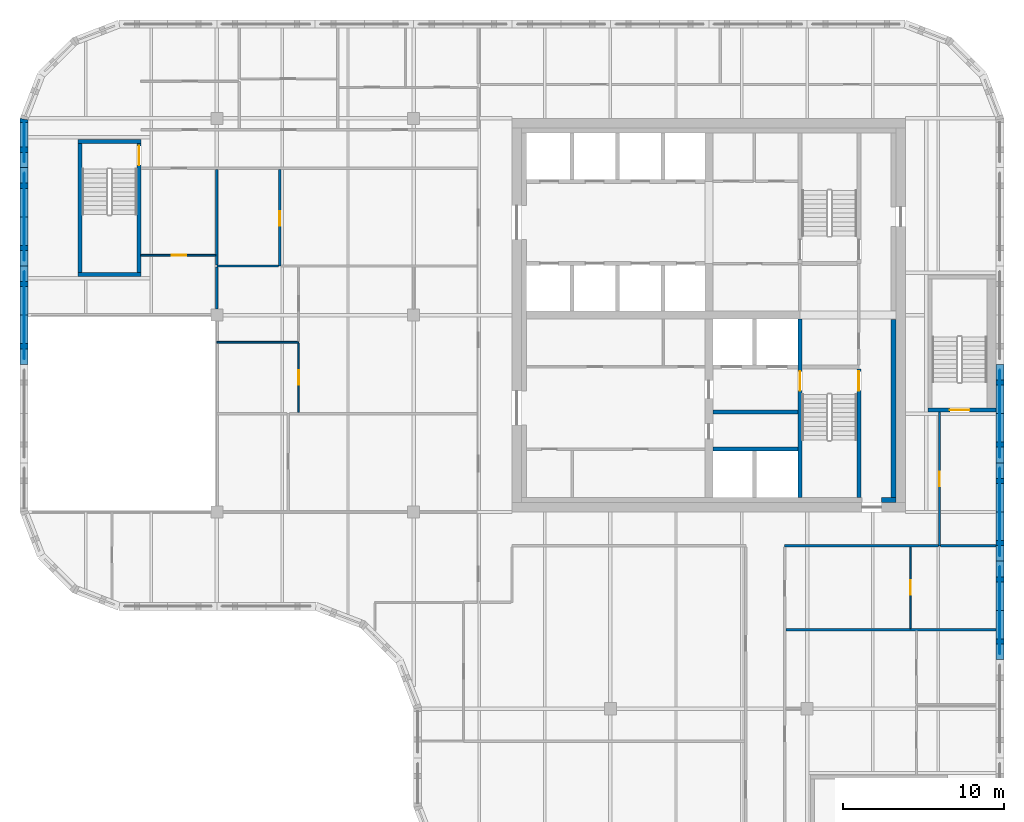
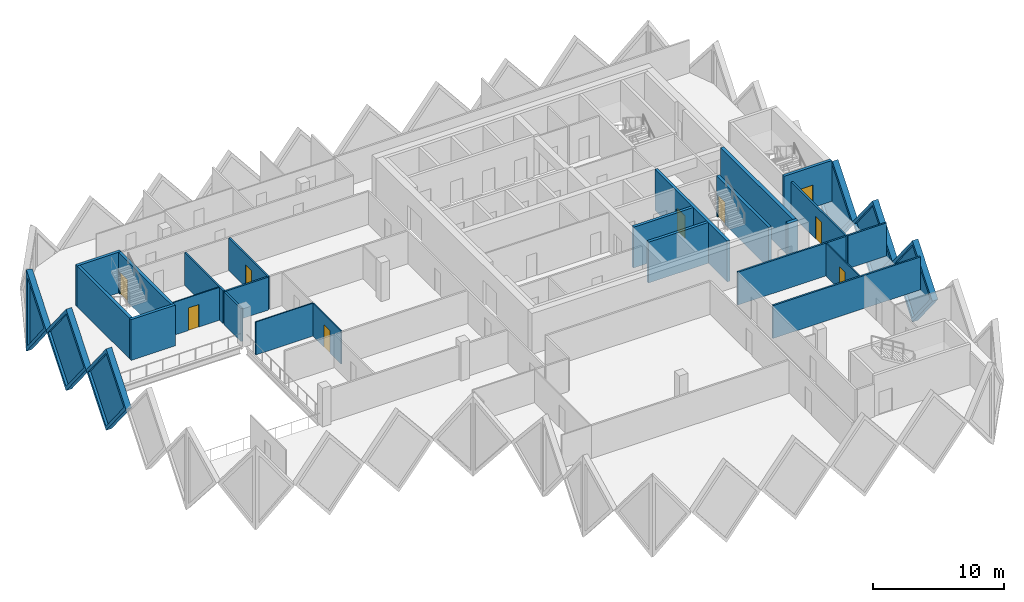
# One storey, part 6 of 11: 29 walls, 9 doors, 6 plates, 15 openings.
"""IFC4 building model written with IfcOpenShell, lengths in metres."""

import ifcopenshell
import ifcopenshell.guid

model = None  # the IFC model being written
_history = None  # IfcOwnerHistory: only IFC2X3 demands one
_inside = {}  # id of a spatial element -> (the spatial element, [elements in it])
_under = {}  # id of a project, library or spatial element -> (it, [spatial elements below it])
_declared = {}  # id of a project -> (the project, [libraries it declares])
_typed = {}  # id of a type object -> (the type object, [elements of that type])
_made_of = {}  # id of a material, layer set ... -> (it, [elements and type objects made of it])


def new_model(schema):
    """Start an empty IFC model of exactly this schema.

    Asked for "IFC4X3", IfcOpenShell would pick the latest addendum, in which some entities
    have other attributes; the version numbers below select the first issue.
    IFC2X3 requires an IfcOwnerHistory on every rooted entity: one is made here for all.
    """
    global model, _history
    if schema == "IFC4X3":
        model = ifcopenshell.file(schema_version=(4, 3, 0, 0))
    else:
        model = ifcopenshell.file(schema=schema)
    _inside.clear()
    _under.clear()
    _declared.clear()
    _typed.clear()
    _made_of.clear()
    _history = None
    if model.schema == "IFC2X3":
        org = make("IfcOrganization", Name="unknown")
        user = make(
            "IfcPersonAndOrganization",
            ThePerson=make("IfcPerson", FamilyName="unknown"),
            TheOrganization=org,
        )
        app = make(
            "IfcApplication",
            ApplicationDeveloper=org,
            Version="unknown",
            ApplicationFullName="unknown",
            ApplicationIdentifier="unknown",
        )
        _history = make(
            "IfcOwnerHistory",
            OwningUser=user,
            OwningApplication=app,
            ChangeAction="ADDED",
            CreationDate=0,
        )
    return model


def make(cls, **values):
    """One entity of the class cls with the attributes given. An attribute that is None is left unset."""
    return model.create_entity(
        cls, **{name: value for name, value in values.items() if value is not None}
    )


def rooted(cls, **values):
    """An entity with a GlobalId (a new one), such as an element, a storey or a relation."""
    return make(cls, GlobalId=ifcopenshell.guid.new(), OwnerHistory=_history, **values)


def si_unit(unit_type, name, prefix=None):
    """IfcSIUnit, for example si_unit("LENGTHUNIT", "METRE", prefix="MILLI")."""
    return make("IfcSIUnit", UnitType=unit_type, Prefix=prefix, Name=name)


def assignment(units):
    """IfcUnitAssignment: the units of a project."""
    return None if units is None else make("IfcUnitAssignment", Units=units)


def point(xyz):
    """IfcCartesianPoint."""
    return None if xyz is None else make("IfcCartesianPoint", Coordinates=xyz)


def direction(xyz):
    """IfcDirection."""
    return None if xyz is None else make("IfcDirection", DirectionRatios=xyz)


def frame(location, z_axis=None, x_axis=None):
    """IfcAxis2Placement3D, a coordinate frame: its origin and axes. An axis left out is left unset."""
    return make(
        "IfcAxis2Placement3D",
        Location=point(location),
        Axis=direction(z_axis),
        RefDirection=direction(x_axis),
    )


def frame_2d(location, x_axis=None):
    """IfcAxis2Placement2D, a coordinate frame in the plane: its origin and x axis."""
    return make(
        "IfcAxis2Placement2D", Location=point(location), RefDirection=direction(x_axis)
    )


def origin():
    """The frame at (0, 0, 0) with its axes left unset."""
    return frame((0.0, 0.0, 0.0))


def place(relative_to, where):
    """IfcLocalPlacement: puts the frame where relative to a parent placement (None: the world)."""
    return make(
        "IfcLocalPlacement", PlacementRelTo=relative_to, RelativePlacement=where
    )


def context(
    kind, dimensions, precision=None, world=None, true_north=None, identifier=None
):
    """IfcGeometricRepresentationContext, for example the 3D "Model" context."""
    return make(
        "IfcGeometricRepresentationContext",
        ContextIdentifier=identifier,
        ContextType=kind,
        CoordinateSpaceDimension=dimensions,
        Precision=precision,
        WorldCoordinateSystem=world,
        TrueNorth=true_north,
    )


def subcontext(parent, identifier, kind, view, scale=None):
    """IfcGeometricRepresentationSubContext, for example "Body" below "Model"."""
    return make(
        "IfcGeometricRepresentationSubContext",
        ContextIdentifier=identifier,
        ContextType=kind,
        ParentContext=parent,
        TargetScale=scale,
        TargetView=view,
    )


def project(units=None, contexts=None):
    """IfcProject with its units and contexts."""
    return rooted(
        "IfcProject",
        Name="project",
        RepresentationContexts=contexts,
        UnitsInContext=assignment(units),
    )


def spatial(cls, under=None, at=None, **own):
    """A site, building, storey or space (cls), placed at a placement, below another one or the project."""
    s = rooted(cls, ObjectPlacement=at, **own)
    if under is not None:
        _under.setdefault(under.id(), (under, []))[1].append(s)
    return s


def polyline(points):
    """IfcPolyline through the points."""
    return make("IfcPolyline", Points=[point(p) for p in points])


def profile(cls, at=None, kind="AREA", **sizes):
    """A parametric profile (cls). Its sizes go by their IFC names, for example OverallWidth=200.0."""
    return make(cls, ProfileType=kind, Position=at, **sizes)


def rectangle(**sizes):
    """IfcRectangleProfileDef."""
    return profile("IfcRectangleProfileDef", **sizes)


def outline(outer, holes=None, kind="AREA"):
    """IfcArbitraryClosedProfileDef: a profile drawn as a closed curve; with holes, ...WithVoids."""
    if holes is None:
        return make("IfcArbitraryClosedProfileDef", ProfileType=kind, OuterCurve=outer)
    return make(
        "IfcArbitraryProfileDefWithVoids",
        ProfileType=kind,
        OuterCurve=outer,
        InnerCurves=holes,
    )


def extrude(swept, where, along, depth):
    """IfcExtrudedAreaSolid: the profile swept, set in the frame where, extruded along a direction by depth."""
    return make(
        "IfcExtrudedAreaSolid",
        SweptArea=swept,
        Position=where,
        ExtrudedDirection=direction(along),
        Depth=depth,
    )


def faces_of(points, faces, orient=None, outer=None):
    """IfcFace entities. A face is a list of loops; a loop is a list of indices into points, from 0.

    orient and outer hold one flag for each loop. By default every Orientation is true, the
    first loop of a face is its IfcFaceOuterBound and the others are IfcFaceBound.
    """
    made = []
    for i, loops in enumerate(faces):
        bounds = []
        for j, loop in enumerate(loops):
            is_outer = j == 0 if outer is None else outer[i][j]
            bounds.append(
                make(
                    "IfcFaceOuterBound" if is_outer else "IfcFaceBound",
                    Bound=make("IfcPolyLoop", Polygon=[points[k] for k in loop]),
                    Orientation=True if orient is None else orient[i][j],
                )
            )
        made.append(make("IfcFace", Bounds=bounds))
    return made


def faceted_brep(points, faces, orient=None, outer=None, voids=None):
    """IfcFacetedBrep: a solid bounded by flat faces; with voids (closed shells), ...WithVoids."""
    shared = [point(p) for p in points]
    hull = make("IfcClosedShell", CfsFaces=faces_of(shared, faces, orient, outer))
    if voids is None:
        return make("IfcFacetedBrep", Outer=hull)
    return make(
        "IfcFacetedBrepWithVoids",
        Outer=hull,
        Voids=[
            make(cls, CfsFaces=faces_of(shared, fs, o, b)) for cls, fs, o, b in voids
        ],
    )


def shape(context_of_items, identifier, shape_type, items):
    """IfcShapeRepresentation: the items that make up one representation, for example the "Body"."""
    return make(
        "IfcShapeRepresentation",
        ContextOfItems=context_of_items,
        RepresentationIdentifier=identifier,
        RepresentationType=shape_type,
        Items=items,
    )


def source(mapping_origin, context_of_items, identifier, shape_type, items):
    """IfcRepresentationMap: a shape defined once, which mapped items show again and again."""
    return make(
        "IfcRepresentationMap",
        MappingOrigin=mapping_origin,
        MappedRepresentation=shape(context_of_items, identifier, shape_type, items),
    )


def transform(
    local_origin,
    x_axis=None,
    y_axis=None,
    z_axis=None,
    scale=None,
    scale2=None,
    scale3=None,
    uniform=True,
):
    """IfcCartesianTransformationOperator3D, or its non-uniform kind. x_axis, y_axis, z_axis: its Axis1, 2, 3."""
    if uniform:
        return make(
            "IfcCartesianTransformationOperator3D",
            Axis1=direction(x_axis),
            Axis2=direction(y_axis),
            LocalOrigin=point(local_origin),
            Scale=scale,
            Axis3=direction(z_axis),
        )
    return make(
        "IfcCartesianTransformationOperator3DnonUniform",
        Axis1=direction(x_axis),
        Axis2=direction(y_axis),
        LocalOrigin=point(local_origin),
        Scale=scale,
        Axis3=direction(z_axis),
        Scale2=scale2,
        Scale3=scale3,
    )


def mapped(mapping_source, mapping_target):
    """IfcMappedItem: shows the shape of a source again, moved by a transform."""
    return make(
        "IfcMappedItem", MappingSource=mapping_source, MappingTarget=mapping_target
    )


def material(Name=None, Category=None):
    """IfcMaterial."""
    return make("IfcMaterial", Name=Name, Category=Category)


def layer(
    of_material, thickness, ventilated=None, Name=None, Category=None, Priority=None
):
    """IfcMaterialLayer: one layer of a wall or slab, of a material (None: an air gap)."""
    return make(
        "IfcMaterialLayer",
        Material=of_material,
        LayerThickness=thickness,
        IsVentilated=ventilated,
        Name=Name,
        Category=Category,
        Priority=Priority,
    )


def layer_set(layers, Name=None):
    """IfcMaterialLayerSet."""
    return make("IfcMaterialLayerSet", MaterialLayers=layers, LayerSetName=Name)


def made_of(thing, what):
    """Note that an element or type object is made of a material, layer set ...; save() writes the relation."""
    if what is not None:
        _made_of.setdefault(what.id(), (what, []))[1].append(thing)
    return thing


def type_object(cls, material=None, **own):
    """A type object (cls), such as IfcWallType, which elements share."""
    return made_of(rooted(cls, **own), material)


def element(
    cls,
    number,
    at=None,
    inside=None,
    cuts=None,
    type_object=None,
    material=None,
    context=None,
    identifier="Body",
    shape_type=None,
    held_by="IfcProductDefinitionShape",
    body=None,
    shapes=None,
    **own,
):
    """One element of the class cls, such as IfcWall. Its Tag is "e" and its number.

    at: its placement. inside: the storey or other place that contains it. cuts: it is an
    opening in that element (IfcRelVoidsElement). A single representation is given by context,
    identifier, shape_type and body (its items); several are given by shapes. held_by: the class
    of the entity that holds the representations. save() writes the other relations.
    """
    e = rooted(cls, Tag="e%d" % number, ObjectPlacement=at, **own)
    if body is not None:
        shapes = [shape(context, identifier, shape_type, body)]
    if shapes is not None:
        e.Representation = make(held_by, Representations=shapes)
    if inside is not None:
        _inside.setdefault(inside.id(), (inside, []))[1].append(e)
    if cuts is not None:
        rooted(
            "IfcRelVoidsElement", RelatingBuildingElement=cuts, RelatedOpeningElement=e
        )
    if type_object is not None:
        _typed.setdefault(type_object.id(), (type_object, []))[1].append(e)
    return made_of(e, material)


def fill(opening, filler):
    """IfcRelFillsElement: the door or window that sits in an opening."""
    return rooted(
        "IfcRelFillsElement",
        RelatingOpeningElement=opening,
        RelatedBuildingElement=filler,
    )


def aggregate(whole, parts):
    """IfcRelAggregates: a whole, such as a stair, and the parts it consists of."""
    return rooted("IfcRelAggregates", RelatingObject=whole, RelatedObjects=parts)


def save(model, path):
    """Write the relations noted so far, then the file.

    IfcRelAggregates (storeys below a building ...), IfcRelContainedInSpatialStructure (elements
    in a storey), IfcRelDefinesByType, IfcRelAssociatesMaterial and IfcRelDeclares: one each for
    every whole, place, type object, material and project.
    """
    for whole, parts in _under.values():
        aggregate(whole, parts)
    for where, things in _inside.values():
        rooted(
            "IfcRelContainedInSpatialStructure",
            RelatedElements=things,
            RelatingStructure=where,
        )
    for kind, things in _typed.values():
        rooted("IfcRelDefinesByType", RelatedObjects=things, RelatingType=kind)
    for what, things in _made_of.values():
        rooted("IfcRelAssociatesMaterial", RelatedObjects=things, RelatingMaterial=what)
    for by, libraries in _declared.values():
        rooted("IfcRelDeclares", RelatingContext=by, RelatedDefinitions=libraries)
    model.write(path)


model = new_model("IFC4")

# Units and contexts
model_context = context("Model", 3, precision=1e-05, world=origin(), true_north=direction((0.0, 1.0)))
body_context = subcontext(model_context, "Body", "Model", "MODEL_VIEW")
ifc_project = project(units=[si_unit("LENGTHUNIT", "METRE"), si_unit("AREAUNIT", "SQUARE_METRE"), si_unit("VOLUMEUNIT", "CUBIC_METRE"), si_unit("PLANEANGLEUNIT", "RADIAN"), si_unit("MASSUNIT", "GRAM", prefix="KILO")], contexts=[model_context])

# Site, building, storey
site_placement = place(None, origin())
site = spatial("IfcSite", under=ifc_project, at=site_placement, CompositionType="ELEMENT")
building_placement = place(site_placement, origin())
building = spatial("IfcBuilding", under=site, at=building_placement, Name="Tessera Gate Towers", CompositionType="ELEMENT")
storey_placement = place(building_placement, frame((0.0, 0.0, 166.800048828125)))
storey = spatial("IfcBuildingStorey", under=building, at=storey_placement, Name="L41", CompositionType="ELEMENT", Elevation=166.800048828125)

# Wall, opening, door
ifc_material_1 = material(Name="Concrete C40/50", Category="concrete")
ifc_layer_1 = layer(ifc_material_1, 0.25)
ifc_layer_set_1 = layer_set([ifc_layer_1], Name="CORE ENCLOSURE WALL 250")
wall_type_1 = type_object("IfcWallType", Name="CORE ENCLOSURE WALL 250", PredefinedType="SOLIDWALL", material=ifc_layer_set_1)
wall_1_placement = place(storey_placement, frame((48.35009765625, 36.35009765625, 0.0), z_axis=(0.0, 0.0, 1.0), x_axis=(0.0, -1.0, 0.0)))
wall_1 = element("IfcWall", 1, at=wall_1_placement, inside=storey, type_object=wall_type_1, Name="L41 shaft and stair enclosure wall", PredefinedType="SOLIDWALL", context=body_context, shape_type="SweptSolid", body=[
    extrude(rectangle(XDim=11.050048828125, YDim=0.25, at=frame_2d((5.52490234375, 0.0))), origin(), (0.0, 0.0, 1.0), 3.800048828125),
])
shared_shape_1 = source(origin(), body_context, "Body", "SweptSolid", [
    extrude(rectangle(XDim=1.199951171875, YDim=2.10009765625, at=frame_2d((0.60009765625, 1.050048828125))), frame((0.0, 0.135009765625, 0.0), z_axis=(0.0, -1.0, 0.0), x_axis=(1.0, 0.0, 0.0)), (0.0, 0.0, 1.0), 0.27001953125),
])
opening_1_placement = place(wall_1_placement, frame((3.22509765625, 0.0, 0.0)))
opening_1 = element("IfcOpeningElement", 2, at=opening_1_placement, cuts=wall_1, Name="Opening SD-ST1-1", PredefinedType="OPENING", context=body_context, shape_type="MappedRepresentation", body=[
    mapped(shared_shape_1, transform((0.0, 0.0, 0.0), scale=1.0)),
])
ifc_material_2 = material(Name="Hollow steel fire door", Category="steel")
door_type_1 = type_object("IfcDoorType", Name="CORE DOOR SD 1200x2100", OperationType="NOTDEFINED", PredefinedType="DOOR", material=ifc_material_2)
shared_shape_2 = source(origin(), body_context, "Body", "SweptSolid", [
    extrude(rectangle(XDim=1.199951171875, YDim=2.10009765625, at=frame_2d((0.60009765625, 1.050048828125))), frame((0.0, 0.02490234375, 0.0), z_axis=(0.0, -1.0, 0.0), x_axis=(1.0, 0.0, 0.0)), (0.0, 0.0, 1.0), 0.050048828125),
])
door_1_placement = place(opening_1_placement, origin())
door_1 = element("IfcDoor", 3, at=door_1_placement, inside=storey, type_object=door_type_1, Name="Stair door", OperationType="SINGLE_SWING_LEFT", OverallHeight=2.10009765625, OverallWidth=1.199951171875, PredefinedType="DOOR", context=body_context, shape_type="MappedRepresentation", body=[
    mapped(shared_shape_2, transform((0.0, 0.0, 0.0), scale=1.0)),
])
fill(opening_1, door_1)

wall_2_placement = place(storey_placement, frame((52.0, 25.300048828125, 0.0), z_axis=(0.0, 0.0, 1.0), x_axis=(0.0, 1.0, 0.0)))
wall_2 = element("IfcWall", 4, at=wall_2_placement, inside=storey, type_object=wall_type_1, Name="L41 shaft and stair enclosure wall", PredefinedType="SOLIDWALL", context=body_context, shape_type="SweptSolid", body=[
    extrude(rectangle(XDim=7.974853515625, YDim=0.25, at=frame_2d((3.9873046875, 0.0))), origin(), (0.0, 0.0, 1.0), 3.800048828125),
])
opening_2_placement = place(wall_2_placement, frame((6.625, 0.0, 0.0)))
opening_2 = element("IfcOpeningElement", 5, at=opening_2_placement, cuts=wall_2, Name="Opening SD-ST1-2", PredefinedType="OPENING", context=body_context, shape_type="MappedRepresentation", body=[
    mapped(shared_shape_1, transform((0.0, 0.0, 0.0), scale=1.0)),
])
door_2_placement = place(opening_2_placement, origin())
door_2 = element("IfcDoor", 6, at=door_2_placement, inside=storey, type_object=door_type_1, Name="Stair door", OperationType="SINGLE_SWING_RIGHT", OverallHeight=2.10009765625, OverallWidth=1.199951171875, PredefinedType="DOOR", context=body_context, shape_type="MappedRepresentation", body=[
    mapped(shared_shape_2, transform((0.0, 0.0, 0.0), scale=1.0)),
])
fill(opening_2, door_2)

# Walls
for number, where, z_axis, x_axis, name in (
    (7, (42.949951171875, 28.300048828125, 0.0), (0.0, 0.0, 1.0), (1.0, 0.0, 0.0), "L41 shaft and stair enclosure wall"),
    (8, (42.949951171875, 30.60009765625, 0.0), (0.0, 0.0, 1.0), (1.0, 0.0, 0.0), "L41 shaft and stair enclosure wall"),
):
    element("IfcWall", number, at=place(storey_placement, frame(where, z_axis=z_axis, x_axis=x_axis)), inside=storey, type_object=wall_type_1, Name=name, PredefinedType="SOLIDWALL", context=body_context, shape_type="SweptSolid", body=[
        extrude(rectangle(XDim=5.275146484375, YDim=0.25, at=frame_2d((2.6376953125, 0.0))), origin(), (0.0, 0.0, 1.0), 3.800048828125),
    ])
wall_3_placement = place(storey_placement, frame((7.5, 39.125, 0.0), z_axis=(0.0, 0.0, 1.0), x_axis=(-1.0, 0.0, 0.0)))
element("IfcWall", 9, at=wall_3_placement, inside=storey, type_object=wall_type_1, Name="L41 ST3 enclosure wall", PredefinedType="SOLIDWALL", context=body_context, shape_type="SweptSolid", body=[
    extrude(rectangle(XDim=3.89990234375, YDim=0.25, at=frame_2d((1.949951171875, 0.0))), origin(), (0.0, 0.0, 1.0), 3.800048828125),
])
wall_4_placement = place(storey_placement, frame((3.72509765625, 39.25, 0.0), z_axis=(0.0, 0.0, 1.0), x_axis=(0.0, 1.0, 0.0)))
element("IfcWall", 10, at=wall_4_placement, inside=storey, type_object=wall_type_1, Name="L41 ST3 enclosure wall", PredefinedType="SOLIDWALL", context=body_context, shape_type="SweptSolid", body=[
    extrude(rectangle(XDim=8.0, YDim=0.25, at=frame_2d((4.0, 0.0))), origin(), (0.0, 0.0, 1.0), 3.800048828125),
])
wall_5_placement = place(storey_placement, frame((3.60009765625, 47.375, 0.0), z_axis=(0.0, 0.0, 1.0), x_axis=(1.0, 0.0, 0.0)))
element("IfcWall", 11, at=wall_5_placement, inside=storey, type_object=wall_type_1, Name="L41 ST3 enclosure wall", PredefinedType="SOLIDWALL", context=body_context, shape_type="SweptSolid", body=[
    extrude(rectangle(XDim=3.89990234375, YDim=0.25, at=frame_2d((1.949951171875, 0.0))), origin(), (0.0, 0.0, 1.0), 3.800048828125),
])

# Wall, opening, door
wall_6_placement = place(storey_placement, frame((7.375, 47.25, 0.0), z_axis=(0.0, 0.0, 1.0), x_axis=(0.0, -1.0, 0.0)))
wall_6 = element("IfcWall", 12, at=wall_6_placement, inside=storey, type_object=wall_type_1, Name="L41 ST3 enclosure wall", PredefinedType="SOLIDWALL", context=body_context, shape_type="SweptSolid", body=[
    extrude(rectangle(XDim=8.0, YDim=0.25, at=frame_2d((4.0, 0.0))), origin(), (0.0, 0.0, 1.0), 3.800048828125),
])
opening_3_placement = place(wall_6_placement, frame((0.14990234375, 0.0, 0.0)))
opening_3 = element("IfcOpeningElement", 13, at=opening_3_placement, cuts=wall_6, Name="Opening SD-ST3-1", PredefinedType="OPENING", context=body_context, shape_type="MappedRepresentation", body=[
    mapped(shared_shape_1, transform((0.0, 0.0, 0.0), scale=1.0)),
])
door_3_placement = place(opening_3_placement, origin())
door_3 = element("IfcDoor", 14, at=door_3_placement, inside=storey, type_object=door_type_1, Name="Stair door", OperationType="SINGLE_SWING_LEFT", OverallHeight=2.10009765625, OverallWidth=1.199951171875, PredefinedType="DOOR", context=body_context, shape_type="MappedRepresentation", body=[
    mapped(shared_shape_2, transform((0.0, 0.0, 0.0), scale=1.0)),
])
fill(opening_3, door_3)

wall_7_placement = place(storey_placement, frame((60.5, 30.72509765625, 0.0), z_axis=(0.0, 0.0, 1.0), x_axis=(-1.0, 0.0, 0.0)))
wall_7 = element("IfcWall", 15, at=wall_7_placement, inside=storey, type_object=wall_type_1, Name="L41 ST5 enclosure wall", PredefinedType="SOLIDWALL", context=body_context, shape_type="SweptSolid", body=[
    extrude(rectangle(XDim=4.199951171875, YDim=0.25, at=frame_2d((2.10009765625, 0.0))), origin(), (0.0, 0.0, 1.0), 3.800048828125),
])
opening_4_placement = place(wall_7_placement, frame((1.64990234375, 0.0, 0.0)))
opening_4 = element("IfcOpeningElement", 16, at=opening_4_placement, cuts=wall_7, Name="Opening SD-ST5-1", PredefinedType="OPENING", context=body_context, shape_type="MappedRepresentation", body=[
    mapped(shared_shape_1, transform((0.0, 0.0, 0.0), scale=1.0)),
])
door_4_placement = place(opening_4_placement, origin())
door_4 = element("IfcDoor", 17, at=door_4_placement, inside=storey, type_object=door_type_1, Name="Stair door", OperationType="SINGLE_SWING_RIGHT", OverallHeight=2.10009765625, OverallWidth=1.199951171875, PredefinedType="DOOR", context=body_context, shape_type="MappedRepresentation", body=[
    mapped(shared_shape_2, transform((0.0, 0.0, 0.0), scale=1.0)),
])
fill(opening_4, door_4)

# Walls
ifc_material_3 = material(Name="Concrete C50/60", Category="concrete")
ifc_layer_2 = layer(ifc_material_3, 0.300048828125)
ifc_layer_set_2 = layer_set([ifc_layer_2], Name="CORE WALL THICKENING 300")
wall_type_2 = type_object("IfcWallType", Name="CORE WALL THICKENING 300", PredefinedType="SOLIDWALL", material=ifc_layer_set_2)
wall_8_placement = place(storey_placement, frame((53.39990234375, 25.14990234375, 0.0), z_axis=(0.0, 0.0, 1.0), x_axis=(1.0, 0.0, 0.0)))
element("IfcWall", 18, at=wall_8_placement, inside=storey, type_object=wall_type_2, Name="Core wall thickening S L41", PredefinedType="SOLIDWALL", context=body_context, shape_type="SweptSolid", body=[
    extrude(rectangle(XDim=0.900146484375, YDim=0.300048828125, at=frame_2d((0.4501953125, 0.0))), origin(), (0.0, 0.0, 1.0), 3.800048828125),
])
wall_9_placement = place(storey_placement, frame((54.14990234375, 25.300048828125, 0.0), z_axis=(0.0, 0.0, 1.0), x_axis=(0.0, 1.0, 0.0)))
element("IfcWall", 19, at=wall_9_placement, inside=storey, type_object=wall_type_2, Name="Core wall thickening E L41", PredefinedType="SOLIDWALL", context=body_context, shape_type="SweptSolid", body=[
    extrude(rectangle(XDim=11.02001953125, YDim=0.300048828125, at=frame_2d((5.510009765625, 0.0))), origin(), (0.0, 0.0, 1.0), 3.800048828125),
])
ifc_material_4 = material(Name="Gypsum board on steel studs, mineral wool", Category="steel")
ifc_layer_3 = layer(ifc_material_4, 0.14990234375)
ifc_layer_set_3 = layer_set([ifc_layer_3], Name="CORRIDOR WALL 150")
wall_type_3 = type_object("IfcWallType", Name="CORRIDOR WALL 150", PredefinedType="PARTITIONING", material=ifc_layer_set_3)
wall_10_placement = place(storey_placement, frame((47.39990234375, 22.300048828125, 0.0), z_axis=(0.0, 0.0, 1.0), x_axis=(1.0, 0.0, 0.0)))
element("IfcWall", 20, at=wall_10_placement, inside=storey, type_object=wall_type_3, Name="T1-L41-PW-022", PredefinedType="PARTITIONING", context=body_context, shape_type="SweptSolid", body=[
    extrude(rectangle(XDim=9.524169921875, YDim=0.14990234375, at=frame_2d((4.76220703125, 0.0))), origin(), (0.0, 0.0, 1.0), 3.06689453125),
])

# Wall, opening, door
wall_11_placement = place(storey_placement, frame((57.0, 30.60009765625, 0.0), z_axis=(0.0, 0.0, 1.0), x_axis=(0.0, -1.0, 0.0)))
wall_11 = element("IfcWall", 21, at=wall_11_placement, inside=storey, type_object=wall_type_3, Name="T1-L41-PW-023", PredefinedType="PARTITIONING", context=body_context, shape_type="SweptSolid", body=[
    extrude(rectangle(XDim=8.300048828125, YDim=0.14990234375, at=frame_2d((4.14990234375, 0.0))), origin(), (0.0, 0.0, 1.0), 3.06689453125),
])
shared_shape_3 = source(origin(), body_context, "Body", "SweptSolid", [
    extrude(rectangle(XDim=0.89990234375, YDim=2.10009765625, at=frame_2d((0.449951171875, 1.050048828125))), frame((0.0, 0.0849609375, 0.0), z_axis=(0.0, -1.0, 0.0), x_axis=(1.0, 0.0, 0.0)), (0.0, 0.0, 1.0), 0.169921875),
])
opening_5_placement = place(wall_11_placement, frame((3.699951171875, 0.0, 0.0)))
opening_5 = element("IfcOpeningElement", 22, at=opening_5_placement, cuts=wall_11, Name="Opening D890FD60-A15-06", PredefinedType="OPENING", context=body_context, shape_type="MappedRepresentation", body=[
    mapped(shared_shape_3, transform((0.0, 0.0, 0.0), scale=1.0)),
])
ifc_material_5 = material(Name="Timber door leaf in steel frame", Category="steel")
door_type_2 = type_object("IfcDoorType", Name="CORRIDOR DOOR 900 FD60", OperationType="NOTDEFINED", PredefinedType="DOOR", material=ifc_material_5)
shared_shape_4 = source(origin(), body_context, "Body", "SweptSolid", [
    extrude(rectangle(XDim=0.89990234375, YDim=2.10009765625, at=frame_2d((0.449951171875, 1.050048828125))), frame((0.0, 0.02490234375, 0.0), z_axis=(0.0, -1.0, 0.0), x_axis=(1.0, 0.0, 0.0)), (0.0, 0.0, 1.0), 0.050048828125),
])
door_5_placement = place(opening_5_placement, origin())
door_5 = element("IfcDoor", 23, at=door_5_placement, inside=storey, type_object=door_type_2, Name="T1-L41-PD-022", OperationType="SINGLE_SWING_RIGHT", OverallHeight=2.10009765625, OverallWidth=0.89990234375, PredefinedType="DOOR", context=body_context, shape_type="MappedRepresentation", body=[
    mapped(shared_shape_4, transform((0.0, 0.0, 0.0), scale=1.0)),
])
fill(opening_5, door_5)

ifc_material_6 = material(Name="Gypsum board on steel studs", Category="steel")
ifc_layer_4 = layer(ifc_material_6, 0.10009765625)
ifc_layer_set_4 = layer_set([ifc_layer_4], Name="PARTITION 100")
wall_type_4 = type_object("IfcWallType", Name="PARTITION 100", PredefinedType="PARTITIONING", material=ifc_layer_set_4)
wall_12_placement = place(storey_placement, frame((55.199951171875, 22.22412109375, 0.0), z_axis=(0.0, 0.0, 1.0), x_axis=(0.0, -1.0, 0.0)))
wall_12 = element("IfcWall", 24, at=wall_12_placement, inside=storey, type_object=wall_type_4, Name="T1-L41-PW-014", PredefinedType="PARTITIONING", context=body_context, shape_type="SweptSolid", body=[
    extrude(rectangle(XDim=5.048095703125, YDim=0.10009765625, at=frame_2d((2.52392578125, 0.0))), origin(), (0.0, 0.0, 1.0), 3.06689453125),
])
shared_shape_5 = source(origin(), body_context, "Body", "SweptSolid", [
    extrude(rectangle(XDim=0.89990234375, YDim=2.10009765625, at=frame_2d((0.449951171875, 1.050048828125))), frame((0.0, 0.06005859375, 0.0), z_axis=(0.0, -1.0, 0.0), x_axis=(1.0, 0.0, 0.0)), (0.0, 0.0, 1.0), 0.1201171875),
])
opening_6_placement = place(wall_12_placement, frame((2.048095703125, 0.0, 0.0)))
opening_6 = element("IfcOpeningElement", 25, at=opening_6_placement, cuts=wall_12, Name="Opening D190-A15-08", PredefinedType="OPENING", context=body_context, shape_type="MappedRepresentation", body=[
    mapped(shared_shape_5, transform((0.0, 0.0, 0.0), scale=1.0)),
])
ifc_material_7 = material(Name="Timber door leaf in steel frame", Category="steel")
door_type_3 = type_object("IfcDoorType", Name="INTERNAL DOOR 900 NOT RATED", OperationType="NOTDEFINED", PredefinedType="DOOR", material=ifc_material_7)
door_6_placement = place(opening_6_placement, origin())
door_6 = element("IfcDoor", 26, at=door_6_placement, inside=storey, type_object=door_type_3, Name="T1-L41-PD-010", OperationType="SINGLE_SWING_RIGHT", OverallHeight=2.10009765625, OverallWidth=0.89990234375, PredefinedType="DOOR", context=body_context, shape_type="MappedRepresentation", body=[
    mapped(shared_shape_4, transform((0.0, 0.0, 0.0), scale=1.0)),
])
fill(opening_6, door_6)

wall_13_placement = place(storey_placement, frame((17.27490234375, 30.575927734375, 0.0), z_axis=(0.0, 0.0, 1.0), x_axis=(0.0, 1.0, 0.0)))
wall_13 = element("IfcWall", 27, at=wall_13_placement, inside=storey, type_object=wall_type_4, Name="T1-L41-PW-030", PredefinedType="PARTITIONING", context=body_context, shape_type="SweptSolid", body=[
    extrude(rectangle(XDim=4.29345703125, YDim=0.10009765625, at=frame_2d((2.146728515625, 0.0))), origin(), (0.0, 0.0, 1.0), 3.06689453125),
])
opening_7_placement = place(wall_13_placement, frame((1.699951171875, 0.0, 0.0)))
opening_7 = element("IfcOpeningElement", 28, at=opening_7_placement, cuts=wall_13, Name="Opening D190-A15-02", PredefinedType="OPENING", context=body_context, shape_type="MappedRepresentation", body=[
    mapped(shared_shape_5, transform((0.0, 0.0, 0.0), scale=1.0)),
])
door_7_placement = place(opening_7_placement, origin())
door_7 = element("IfcDoor", 29, at=door_7_placement, inside=storey, type_object=door_type_3, Name="T1-L41-PD-003", OperationType="SINGLE_SWING_LEFT", OverallHeight=2.10009765625, OverallWidth=0.89990234375, PredefinedType="DOOR", context=body_context, shape_type="MappedRepresentation", body=[
    mapped(shared_shape_4, transform((0.0, 0.0, 0.0), scale=1.0)),
])
fill(opening_7, door_7)

# Wall
wall_14_placement = place(storey_placement, frame((12.199951171875, 34.919921875, 0.0), z_axis=(0.0, 0.0, 1.0), x_axis=(1.0, 0.0, 0.0)))
element("IfcWall", 30, at=wall_14_placement, inside=storey, type_object=wall_type_4, Name="T1-L41-PW-031", PredefinedType="PARTITIONING", context=body_context, shape_type="SweptSolid", body=[
    extrude(rectangle(XDim=5.074951171875, YDim=0.10009765625, at=frame_2d((2.53759765625, 0.0))), origin(), (0.0, 0.0, 1.0), 3.06689453125),
])

# Wall, opening, door
wall_15_placement = place(storey_placement, frame((12.1240234375, 40.31494140625, 0.0), z_axis=(0.0, 0.0, 1.0), x_axis=(-1.0, 0.0, 0.0)))
wall_15 = element("IfcWall", 31, at=wall_15_placement, inside=storey, type_object=wall_type_4, Name="T1-L41-PW-039", PredefinedType="PARTITIONING", context=body_context, shape_type="SweptSolid", body=[
    extrude(rectangle(XDim=4.6240234375, YDim=0.10009765625, at=frame_2d((2.31201171875, 0.0))), origin(), (0.0, 0.0, 1.0), 3.06689453125),
])
opening_8_placement = place(wall_15_placement, frame((1.823974609375, 0.0, 0.0)))
opening_8 = element("IfcOpeningElement", 32, at=opening_8_placement, cuts=wall_15, Name="Opening D190-A15-07", PredefinedType="OPENING", context=body_context, shape_type="MappedRepresentation", body=[
    mapped(shared_shape_5, transform((0.0, 0.0, 0.0), scale=1.0)),
])
door_8_placement = place(opening_8_placement, origin())
door_8 = element("IfcDoor", 33, at=door_8_placement, inside=storey, type_object=door_type_3, Name="T1-L41-PD-008", OperationType="SINGLE_SWING_RIGHT", OverallHeight=2.10009765625, OverallWidth=0.89990234375, PredefinedType="DOOR", context=body_context, shape_type="MappedRepresentation", body=[
    mapped(shared_shape_4, transform((0.0, 0.0, 0.0), scale=1.0)),
])
fill(opening_8, door_8)

# Walls
ifc_material_8 = material(Name="Gypsum board on steel studs, mineral wool", Category="steel")
ifc_layer_5 = layer(ifc_material_8, 0.14990234375)
ifc_layer_set_5 = layer_set([ifc_layer_5], Name="TENANCY WALL 150")
wall_type_5 = type_object("IfcWallType", Name="TENANCY WALL 150", PredefinedType="PARTITIONING", material=ifc_layer_set_5)
wall_16_placement = place(storey_placement, frame((47.47607421875, 17.10009765625, 0.0), z_axis=(0.0, 0.0, 1.0), x_axis=(1.0, 0.0, 0.0)))
element("IfcWall", 34, at=wall_16_placement, inside=storey, type_object=wall_type_5, Name="T1-L41-PW-013", PredefinedType="PARTITIONING", context=body_context, shape_type="SweptSolid", body=[
    extrude(rectangle(XDim=13.02392578125, YDim=0.14990234375, at=frame_2d((6.511962890625, 0.0))), origin(), (0.0, 0.0, 1.0), 3.06689453125),
])
wall_17_placement = place(storey_placement, frame((57.075927734375, 22.300048828125, 0.0), z_axis=(0.0, 0.0, 1.0), x_axis=(1.0, 0.0, 0.0)))
element("IfcWall", 35, at=wall_17_placement, inside=storey, type_object=wall_type_5, Name="T1-L41-PW-024", PredefinedType="PARTITIONING", context=body_context, shape_type="SweptSolid", body=[
    extrude(rectangle(XDim=3.424072265625, YDim=0.14990234375, at=frame_2d((1.7119140625, 0.0))), origin(), (0.0, 0.0, 1.0), 3.06689453125),
])
wall_18_placement = place(storey_placement, frame((12.199951171875, 36.97607421875, 0.0), z_axis=(0.0, 0.0, 1.0), x_axis=(0.0, 1.0, 0.0)))
element("IfcWall", 36, at=wall_18_placement, inside=storey, type_object=wall_type_5, Name="T1-L41-PW-033", PredefinedType="PARTITIONING", context=body_context, shape_type="SweptSolid", body=[
    extrude(rectangle(XDim=2.597900390625, YDim=0.14990234375, at=frame_2d((1.298828125, 0.0))), origin(), (0.0, 0.0, 1.0), 3.06689453125),
])
wall_19_placement = place(storey_placement, frame((12.199951171875, 39.64990234375, 0.0), z_axis=(0.0, 0.0, 1.0), x_axis=(1.0, 0.0, 0.0)))
element("IfcWall", 37, at=wall_19_placement, inside=storey, type_object=wall_type_5, Name="T1-L41-PW-035", PredefinedType="PARTITIONING", context=body_context, shape_type="SweptSolid", body=[
    extrude(rectangle(XDim=3.823974609375, YDim=0.14990234375, at=frame_2d((1.912109375, 0.0))), origin(), (0.0, 0.0, 1.0), 3.06689453125),
])

# Wall, opening, door
wall_20_placement = place(storey_placement, frame((16.10009765625, 39.64990234375, 0.0), z_axis=(0.0, 0.0, 1.0), x_axis=(0.0, 1.0, 0.0)))
wall_20 = element("IfcWall", 38, at=wall_20_placement, inside=storey, type_object=wall_type_5, Name="T1-L41-PW-036", PredefinedType="PARTITIONING", context=body_context, shape_type="SweptSolid", body=[
    extrude(rectangle(XDim=5.97412109375, YDim=0.14990234375, at=frame_2d((2.987060546875, 0.0))), origin(), (0.0, 0.0, 1.0), 3.06689453125),
])
opening_9_placement = place(wall_20_placement, frame((2.5, 0.0, 0.0)))
opening_9 = element("IfcOpeningElement", 39, at=opening_9_placement, cuts=wall_20, Name="Opening D190-A15-10", PredefinedType="OPENING", context=body_context, shape_type="MappedRepresentation", body=[
    mapped(shared_shape_3, transform((0.0, 0.0, 0.0), scale=1.0)),
])
door_9_placement = place(opening_9_placement, origin())
door_9 = element("IfcDoor", 40, at=door_9_placement, inside=storey, type_object=door_type_3, Name="T1-L41-PD-015", OperationType="SINGLE_SWING_LEFT", OverallHeight=2.10009765625, OverallWidth=0.89990234375, PredefinedType="DOOR", context=body_context, shape_type="MappedRepresentation", body=[
    mapped(shared_shape_4, transform((0.0, 0.0, 0.0), scale=1.0)),
])
fill(opening_9, door_9)

# Wall
wall_21_placement = place(storey_placement, frame((12.199951171875, 39.72607421875, 0.0), z_axis=(0.0, 0.0, 1.0), x_axis=(0.0, 1.0, 0.0)))
element("IfcWall", 41, at=wall_21_placement, inside=storey, type_object=wall_type_5, Name="T1-L41-PW-038", PredefinedType="PARTITIONING", context=body_context, shape_type="SweptSolid", body=[
    extrude(rectangle(XDim=5.89794921875, YDim=0.14990234375, at=frame_2d((2.948974609375, 0.0))), origin(), (0.0, 0.0, 1.0), 3.06689453125),
])

# Wall, opening, plate
ifc_material_9 = material(Name="Precast concrete C60/75 white", Category="concrete")
ifc_layer_6 = layer(ifc_material_9, 0.5)
ifc_layer_set_6 = layer_set([ifc_layer_6], Name="TS1 tessera")
wall_type_6 = type_object("IfcWallType", Name="TS1 tessera", PredefinedType="SOLIDWALL", material=ifc_layer_set_6)
shared_shape_6 = source(origin(), body_context, "Body", "Brep", [
    faceted_brep([(3.050048828125, -0.25, 0.0), (6.099853515625, -0.25, 3.7998046875), (6.099853515625, -0.25, 3.80029296875), (3.050048828125, -0.25, 7.60009765625), (0.0, -0.25, 3.800048828125), (0.0, 0.25, 3.800048828125), (3.050048828125, 0.25, 7.60009765625), (6.099853515625, 0.25, 3.80029296875), (6.099853515625, 0.25, 3.7998046875), (3.050048828125, 0.25, 0.0)], [[[0, 1, 2, 3, 4]], [[5, 6, 7, 8, 9]], [[9, 8, 1, 0]], [[7, 6, 3, 2]], [[6, 5, 4, 3]], [[5, 9, 0, 4]], [[1, 8, 7, 2]]]),
])
wall_22_placement = place(storey_placement, frame((60.75, 21.35009765625, -3.800048828125), z_axis=(0.0, 0.0, 1.0), x_axis=(0.0, 1.0, 0.0)))
wall_22 = element("IfcWall", 42, at=wall_22_placement, inside=storey, type_object=wall_type_6, Name="Precast tessera T1 TS1-0696", PredefinedType="SOLIDWALL", context=body_context, shape_type="MappedRepresentation", body=[
    mapped(shared_shape_6, transform((0.0, 0.0, 0.0), scale=1.0)),
])
shared_shape_7 = source(origin(), body_context, "Body", "SweptSolid", [
    extrude(outline(polyline([(3.050048828125, 0.3994140625), (5.779541015625, 3.800048828125), (3.050048828125, 7.20068359375), (0.320556640625, 3.800048828125), (3.050048828125, 0.3994140625)])), frame((0.0, 0.260009765625, 0.0), z_axis=(0.0, -1.0, 0.0), x_axis=(1.0, 0.0, 0.0)), (0.0, 0.0, 1.0), 0.52001953125),
])
opening_10_placement = place(wall_22_placement, origin())
opening_10 = element("IfcOpeningElement", 43, at=opening_10_placement, cuts=wall_22, Name="Opening T1-PL2-1420", PredefinedType="OPENING", context=body_context, shape_type="MappedRepresentation", body=[
    mapped(shared_shape_7, transform((0.0, 0.0, 0.0), scale=1.0)),
])
ifc_material_10 = material(Name="Low-e laminated glass", Category="glass")
ifc_layer_7 = layer(ifc_material_10, 0.06005859375)
ifc_layer_set_7 = layer_set([ifc_layer_7], Name="PL2 rhombic pane")
plate_type = type_object("IfcPlateType", Name="PL2 rhombic pane", PredefinedType="SHEET", material=ifc_layer_set_7)
shared_shape_8 = source(origin(), body_context, "Body", "SweptSolid", [
    extrude(outline(polyline([(3.050048828125, 0.3994140625), (5.779541015625, 3.800048828125), (3.050048828125, 7.20068359375), (0.320556640625, 3.800048828125), (3.050048828125, 0.3994140625)])), frame((0.0, 0.030029296875, 0.0), z_axis=(0.0, -1.0, 0.0), x_axis=(1.0, 0.0, 0.0)), (0.0, 0.0, 1.0), 0.06005859375),
])
plate_1_placement = place(opening_10_placement, origin())
plate_1 = element("IfcPlate", 44, at=plate_1_placement, inside=storey, type_object=plate_type, Name="Glass pane T1 PL2-1420", PredefinedType="SHEET", context=body_context, shape_type="MappedRepresentation", body=[
    mapped(shared_shape_8, transform((0.0, 0.0, 0.0), scale=1.0)),
])
fill(opening_10, plate_1)

wall_23_placement = place(storey_placement, frame((0.25, 39.64990234375, -3.800048828125), z_axis=(0.0, 0.0, 1.0), x_axis=(0.0, -1.0, 0.0)))
wall_23 = element("IfcWall", 45, at=wall_23_placement, inside=storey, type_object=wall_type_6, Name="Precast tessera T1 TS1-0709", PredefinedType="SOLIDWALL", context=body_context, shape_type="MappedRepresentation", body=[
    mapped(shared_shape_6, transform((0.0, 0.0, 0.0), scale=1.0)),
])
opening_11_placement = place(wall_23_placement, origin())
opening_11 = element("IfcOpeningElement", 46, at=opening_11_placement, cuts=wall_23, Name="Opening T1-PL2-1441", PredefinedType="OPENING", context=body_context, shape_type="MappedRepresentation", body=[
    mapped(shared_shape_7, transform((0.0, 0.0, 0.0), scale=1.0)),
])
plate_2_placement = place(opening_11_placement, origin())
plate_2 = element("IfcPlate", 47, at=plate_2_placement, inside=storey, type_object=plate_type, Name="Glass pane T1 PL2-1441", PredefinedType="SHEET", context=body_context, shape_type="MappedRepresentation", body=[
    mapped(shared_shape_8, transform((0.0, 0.0, 0.0), scale=1.0)),
])
fill(opening_11, plate_2)

shared_shape_9 = source(origin(), body_context, "Body", "SweptSolid", [
    extrude(outline(polyline([(3.050048828125, 0.0), (6.10009765625, 3.800048828125), (3.050048828125, 7.60009765625), (0.0, 3.800048828125), (3.050048828125, 0.0)])), frame((0.0, 0.25, 0.0), z_axis=(0.0, -1.0, 0.0), x_axis=(1.0, 0.0, 0.0)), (0.0, 0.0, 1.0), 0.5),
])
wall_24_placement = place(storey_placement, frame((60.75, 15.25, -3.800048828125), z_axis=(0.0, 0.0, 1.0), x_axis=(0.0, 1.0, 0.0)))
wall_24 = element("IfcWall", 48, at=wall_24_placement, inside=storey, type_object=wall_type_6, Name="Precast tessera T1 TS1-0695", PredefinedType="SOLIDWALL", context=body_context, shape_type="MappedRepresentation", body=[
    mapped(shared_shape_9, transform((0.0, 0.0, 0.0), scale=1.0)),
])
opening_12_placement = place(wall_24_placement, origin())
opening_12 = element("IfcOpeningElement", 49, at=opening_12_placement, cuts=wall_24, Name="Opening T1-PL2-1419", PredefinedType="OPENING", context=body_context, shape_type="MappedRepresentation", body=[
    mapped(shared_shape_7, transform((0.0, 0.0, 0.0), scale=1.0)),
])
plate_3_placement = place(opening_12_placement, origin())
plate_3 = element("IfcPlate", 50, at=plate_3_placement, inside=storey, type_object=plate_type, Name="Glass pane T1 PL2-1419", PredefinedType="SHEET", context=body_context, shape_type="MappedRepresentation", body=[
    mapped(shared_shape_8, transform((0.0, 0.0, 0.0), scale=1.0)),
])
fill(opening_12, plate_3)

wall_25_placement = place(storey_placement, frame((60.75, 27.449951171875, -3.800048828125), z_axis=(0.0, 0.0, 1.0), x_axis=(0.0, 1.0, 0.0)))
wall_25 = element("IfcWall", 51, at=wall_25_placement, inside=storey, type_object=wall_type_6, Name="Precast tessera T1 TS1-0697", PredefinedType="SOLIDWALL", context=body_context, shape_type="MappedRepresentation", body=[
    mapped(shared_shape_9, transform((0.0, 0.0, 0.0), scale=1.0)),
])
opening_13_placement = place(wall_25_placement, origin())
opening_13 = element("IfcOpeningElement", 52, at=opening_13_placement, cuts=wall_25, Name="Opening T1-PL2-1421", PredefinedType="OPENING", context=body_context, shape_type="MappedRepresentation", body=[
    mapped(shared_shape_7, transform((0.0, 0.0, 0.0), scale=1.0)),
])
plate_4_placement = place(opening_13_placement, origin())
plate_4 = element("IfcPlate", 53, at=plate_4_placement, inside=storey, type_object=plate_type, Name="Glass pane T1 PL2-1421", PredefinedType="SHEET", context=body_context, shape_type="MappedRepresentation", body=[
    mapped(shared_shape_8, transform((0.0, 0.0, 0.0), scale=1.0)),
])
fill(opening_13, plate_4)

wall_26_placement = place(storey_placement, frame((0.25, 45.75, -3.800048828125), z_axis=(0.0, 0.0, 1.0), x_axis=(0.0, -1.0, 0.0)))
wall_26 = element("IfcWall", 54, at=wall_26_placement, inside=storey, type_object=wall_type_6, Name="Precast tessera T1 TS1-0708", PredefinedType="SOLIDWALL", context=body_context, shape_type="MappedRepresentation", body=[
    mapped(shared_shape_9, transform((0.0, 0.0, 0.0), scale=1.0)),
])
opening_14_placement = place(wall_26_placement, origin())
opening_14 = element("IfcOpeningElement", 55, at=opening_14_placement, cuts=wall_26, Name="Opening T1-PL2-1440", PredefinedType="OPENING", context=body_context, shape_type="MappedRepresentation", body=[
    mapped(shared_shape_7, transform((0.0, 0.0, 0.0), scale=1.0)),
])
plate_5_placement = place(opening_14_placement, origin())
plate_5 = element("IfcPlate", 56, at=plate_5_placement, inside=storey, type_object=plate_type, Name="Glass pane T1 PL2-1440", PredefinedType="SHEET", context=body_context, shape_type="MappedRepresentation", body=[
    mapped(shared_shape_8, transform((0.0, 0.0, 0.0), scale=1.0)),
])
fill(opening_14, plate_5)

ifc_material_11 = material(Name="Precast concrete C60/75 white", Category="concrete")
ifc_layer_8 = layer(ifc_material_11, 0.5)
ifc_layer_set_8 = layer_set([ifc_layer_8], Name="TS3 corner tessera")
wall_type_7 = type_object("IfcWallType", Name="TS3 corner tessera", PredefinedType="SOLIDWALL", material=ifc_layer_set_8)
shared_shape_10 = source(origin(), body_context, "Body", "Brep", [
    faceted_brep([(0.046630859375, -0.25, 0.0), (3.050048828125, -0.25, 3.800048828125), (0.046630859375, -0.25, 7.60009765625), (0.0, -0.25, 7.5400390625), (0.0, -0.25, 0.06005859375), (0.09326171875, 0.25, 7.541259765625), (3.050048828125, 0.25, 3.800048828125), (0.09326171875, 0.25, 0.058837890625), (0.046630859375, 0.0, 0.0), (0.046630859375, 0.0, 7.60009765625)], [[[0, 1, 2, 3, 4]], [[5, 6, 7]], [[7, 6, 1, 0, 8]], [[6, 5, 9, 2, 1]], [[3, 2, 9]], [[8, 0, 4]], [[7, 8, 4, 3, 9, 5]]]),
])
wall_27_placement = place(storey_placement, frame((0.25, 48.800048828125, -3.800048828125), z_axis=(0.0, 0.0, 1.0), x_axis=(0.0, -1.0, 0.0)))
wall_27 = element("IfcWall", 57, at=wall_27_placement, inside=storey, type_object=wall_type_7, Name="Precast corner tessera T1 TS3-0948", PredefinedType="SOLIDWALL", context=body_context, shape_type="MappedRepresentation", body=[
    mapped(shared_shape_10, transform((0.0, 0.0, 0.0), scale=1.0)),
])
shared_shape_11 = source(origin(), body_context, "Body", "SweptSolid", [
    extrude(outline(polyline([(0.24658203125, 0.65625), (2.7314453125, 3.800048828125), (0.24658203125, 6.94384765625), (0.24658203125, 0.65625)])), frame((0.0, 0.260009765625, 0.0), z_axis=(0.0, -1.0, 0.0), x_axis=(1.0, 0.0, 0.0)), (0.0, 0.0, 1.0), 0.52001953125),
])
opening_15_placement = place(wall_27_placement, origin())
opening_15 = element("IfcOpeningElement", 58, at=opening_15_placement, cuts=wall_27, Name="Opening T1-PL2-1439", PredefinedType="OPENING", context=body_context, shape_type="MappedRepresentation", body=[
    mapped(shared_shape_11, transform((0.0, 0.0, 0.0), scale=1.0)),
])
shared_shape_12 = source(origin(), body_context, "Body", "SweptSolid", [
    extrude(outline(polyline([(0.24658203125, 0.65625), (2.7314453125, 3.800048828125), (0.24658203125, 6.94384765625), (0.24658203125, 0.65625)])), frame((0.0, 0.030029296875, 0.0), z_axis=(0.0, -1.0, 0.0), x_axis=(1.0, 0.0, 0.0)), (0.0, 0.0, 1.0), 0.06005859375),
])
plate_6_placement = place(opening_15_placement, origin())
plate_6 = element("IfcPlate", 59, at=plate_6_placement, inside=storey, type_object=plate_type, Name="Glass pane T1 PL2-1439", PredefinedType="SHEET", context=body_context, shape_type="MappedRepresentation", body=[
    mapped(shared_shape_12, transform((0.0, 0.0, 0.0), scale=1.0)),
])
fill(opening_15, plate_6)

save(model, "model.ifc")
